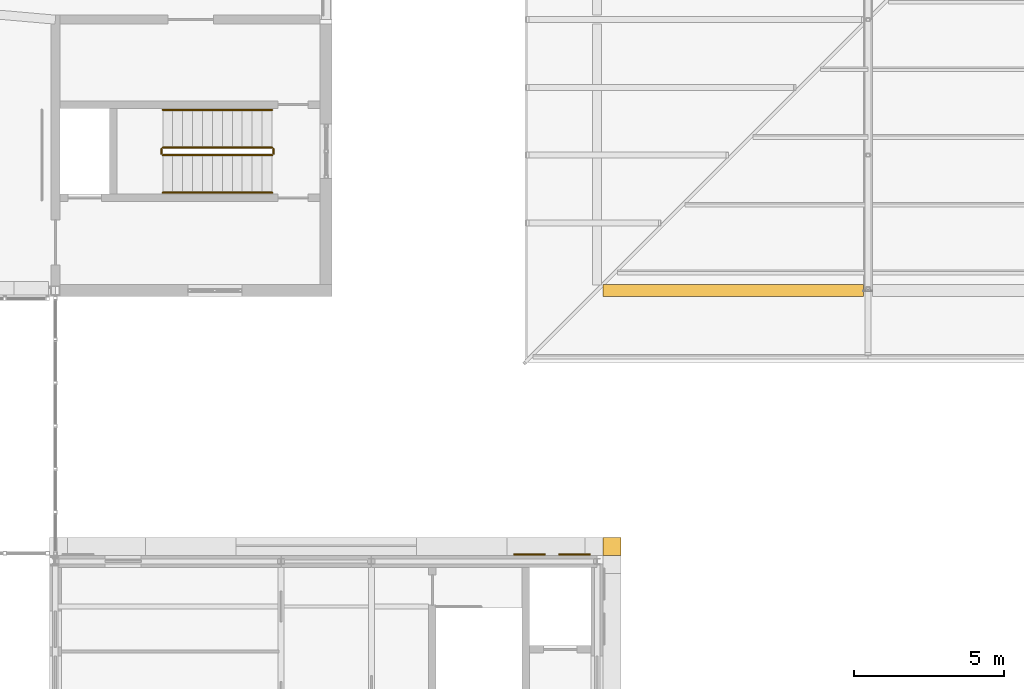
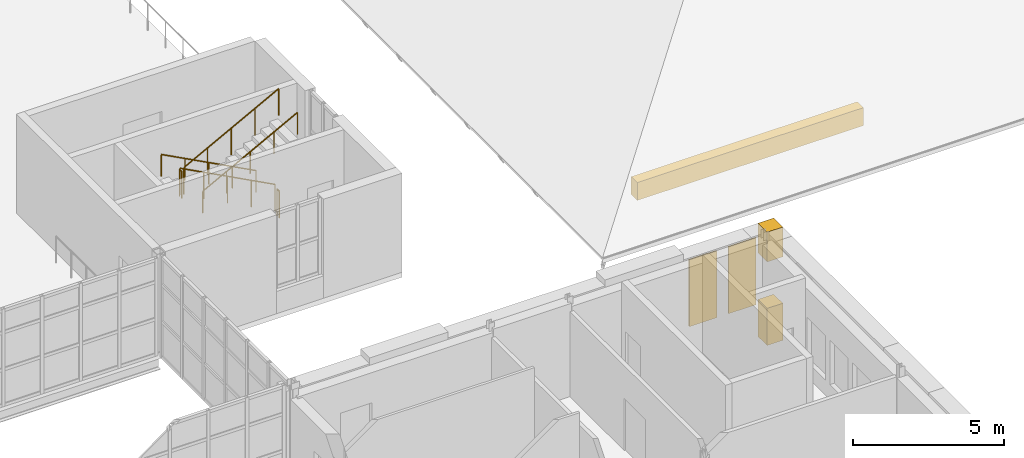
# One storey, part 148 of 154: 6 railings, 5 coverings.
"""IFC4 building model written with IfcOpenShell, lengths in metres."""

from ifc_helpers import new_model, si_unit, direction, frame, origin, origin_2d, place, context, subcontext, project, spatial, polyline, circle, outline, extrude, material, layer, layer_set, type_object, element, save


model = new_model("IFC4")

# Units and contexts
model_context = context("Model", 3, precision=1e-05, world=origin(), true_north=direction((0.0, 1.0)))
body_context = subcontext(model_context, "Body", "Model", "MODEL_VIEW")
ifc_project = project(units=[si_unit("LENGTHUNIT", "METRE"), si_unit("AREAUNIT", "SQUARE_METRE"), si_unit("VOLUMEUNIT", "CUBIC_METRE"), si_unit("PLANEANGLEUNIT", "RADIAN"), si_unit("MASSUNIT", "GRAM", prefix="KILO")], contexts=[model_context])

# Site, building, storey
site_placement = place(None, origin())
site = spatial("IfcSite", under=ifc_project, at=site_placement, CompositionType="ELEMENT")
building_placement = place(site_placement, origin())
building = spatial("IfcBuilding", under=site, at=building_placement, Name="Golden Quay Civic Hall", CompositionType="ELEMENT")
storey_placement = place(building_placement, frame((0.0, 0.0, 14.39990234375)))
storey = spatial("IfcBuildingStorey", under=building, at=storey_placement, Name="L03", CompositionType="ELEMENT", Elevation=14.39990234375)

# Covering
ifc_material_1 = material(Name="Brick, dark clay facing", Category="masonry")
covering_type_1 = type_object("IfcCoveringType", Name="Brick eaves frieze cladding 400", PredefinedType="CLADDING", material=ifc_material_1)
covering_1_placement = place(storey_placement, frame((0.0, 0.0, -0.25)))
element("IfcCovering", 1, at=covering_1_placement, inside=storey, type_object=covering_type_1, Name="Eaves frieze S1", PredefinedType="CLADDING", context=body_context, shape_type="SweptSolid", body=[
    extrude(outline(polyline([(117.199951171875, 62.800048828125), (125.85009765625, 62.800048828125), (125.85009765625, 63.199951171875), (117.199951171875, 63.199951171875), (117.199951171875, 62.800048828125)])), origin(), (0.0, 0.0, 1.0), 0.724609375),
])

# Railings
ifc_material_2 = material(Name="Steel S355", Category="steel")
railing_type_1 = type_object("IfcRailingType", Name="Steel guard 1100", PredefinedType="GUARDRAIL", material=ifc_material_2)
railing_1_placement = place(storey_placement, frame((106.199951171875, 67.75, 0.175048828125)))
element("IfcRailing", 2, at=railing_1_placement, inside=storey, type_object=railing_type_1, Name="L03 CB-SE stair guard 1", PredefinedType="GUARDRAIL", context=body_context, shape_type="SweptSolid", body=[
    extrude(circle(Radius=0.02392578125, at=origin_2d()), frame((0.0, 0.0, 1.076171875), z_axis=(-0.883450922709, 0.0, 0.468523710355), x_axis=(0.0, -1.0, 0.0)), (0.0, 0.0, 1.0), 4.108642578125),
    extrude(circle(Radius=0.02099609375, at=origin_2d()), origin(), (0.0, 0.0, 1.0), 1.052001953125),
    extrude(circle(Radius=0.02099609375, at=origin_2d()), frame((-0.907470703125, 0.0, 0.481201171875)), (0.0, 0.0, 1.0), 1.052001953125),
    extrude(circle(Radius=0.02099609375, at=origin_2d()), frame((-1.81494140625, 0.0, 0.96240234375)), (0.0, 0.0, 1.0), 1.052001953125),
    extrude(circle(Radius=0.02099609375, at=origin_2d()), frame((-2.722412109375, 0.0, 1.44384765625)), (0.0, 0.0, 1.0), 1.052001953125),
    extrude(circle(Radius=0.02099609375, at=origin_2d()), frame((-3.6298828125, 0.0, 1.925048828125)), (0.0, 0.0, 1.0), 1.052001953125),
])
railing_2_placement = place(storey_placement, frame((102.52001953125, 67.699951171875, 2.10009765625)))
element("IfcRailing", 3, at=railing_2_placement, inside=storey, type_object=railing_type_1, Name="L03 CB-SE stair guard 2", PredefinedType="GUARDRAIL", context=body_context, shape_type="SweptSolid", body=[
    extrude(circle(Radius=0.02392578125, at=origin_2d()), frame((0.0, 0.0, 1.076171875), z_axis=(0.0, -1.0, 0.0), x_axis=(1.0, 0.0, 0.0)), (0.0, 0.0, 1.0), 0.14990234375),
    extrude(circle(Radius=0.02099609375, at=origin_2d()), origin(), (0.0, 0.0, 1.0), 1.052001953125),
    extrude(circle(Radius=0.02099609375, at=origin_2d()), frame((0.0, -0.14990234375, 0.0)), (0.0, 0.0, 1.0), 1.052001953125),
])
railing_3_placement = place(storey_placement, frame((102.570068359375, 67.5, 2.275146484375)))
element("IfcRailing", 4, at=railing_3_placement, inside=storey, type_object=railing_type_1, Name="L03 CB-SE stair guard 3", PredefinedType="GUARDRAIL", context=body_context, shape_type="SweptSolid", body=[
    extrude(circle(Radius=0.02392578125, at=origin_2d()), frame((0.0, 0.0, 1.076171875), z_axis=(0.883450922709, 0.0, 0.468523710355), x_axis=(0.0, 1.0, 0.0)), (0.0, 0.0, 1.0), 4.108642578125),
    extrude(circle(Radius=0.02099609375, at=origin_2d()), origin(), (0.0, 0.0, 1.0), 1.052001953125),
    extrude(circle(Radius=0.02099609375, at=origin_2d()), frame((0.907470703125, 0.0, 0.481201171875)), (0.0, 0.0, 1.0), 1.052001953125),
    extrude(circle(Radius=0.02099609375, at=origin_2d()), frame((1.81494140625, 0.0, 0.96240234375)), (0.0, 0.0, 1.0), 1.052001953125),
    extrude(circle(Radius=0.02099609375, at=origin_2d()), frame((2.722412109375, 0.0, 1.44384765625)), (0.0, 0.0, 1.0), 1.052001953125),
    extrude(circle(Radius=0.02099609375, at=origin_2d()), frame((3.6298828125, 0.0, 1.925048828125)), (0.0, 0.0, 1.0), 1.052001953125),
])
railing_4_placement = place(storey_placement, frame((106.25, 67.699951171875, 0.0)))
element("IfcRailing", 5, at=railing_4_placement, inside=storey, type_object=railing_type_1, Name="L03 CB-SE stair guard 4", PredefinedType="GUARDRAIL", context=body_context, shape_type="SweptSolid", body=[
    extrude(circle(Radius=0.02392578125, at=origin_2d()), frame((0.0, 0.0, 1.076171875), z_axis=(0.0, -1.0, 0.0), x_axis=(1.0, 0.0, 0.0)), (0.0, 0.0, 1.0), 0.14990234375),
    extrude(circle(Radius=0.02099609375, at=origin_2d()), origin(), (0.0, 0.0, 1.0), 1.052001953125),
    extrude(circle(Radius=0.02099609375, at=origin_2d()), frame((0.0, -0.14990234375, 0.0)), (0.0, 0.0, 1.0), 1.052001953125),
])
ifc_material_3 = material(Name="Steel S355", Category="steel")
railing_type_2 = type_object("IfcRailingType", Name="Steel handrail 900", PredefinedType="HANDRAIL", material=ifc_material_3)
railing_5_placement = place(storey_placement, frame((106.199951171875, 69.0, 0.175048828125)))
element("IfcRailing", 6, at=railing_5_placement, inside=storey, type_object=railing_type_2, Name="L03 CB-SE stair handrail 1", PredefinedType="HANDRAIL", context=body_context, shape_type="SweptSolid", body=[
    extrude(circle(Radius=0.02392578125, at=origin_2d()), frame((0.0, 0.0, 0.8759765625), z_axis=(-0.883450922709, 0.0, 0.468523710355), x_axis=(0.0, -1.0, 0.0)), (0.0, 0.0, 1.0), 4.108642578125),
    extrude(circle(Radius=0.02099609375, at=origin_2d()), origin(), (0.0, 0.0, 1.0), 0.851806640625),
    extrude(circle(Radius=0.02099609375, at=origin_2d()), frame((-0.907470703125, 0.0, 0.481201171875)), (0.0, 0.0, 1.0), 0.851806640625),
    extrude(circle(Radius=0.02099609375, at=origin_2d()), frame((-1.81494140625, 0.0, 0.96240234375)), (0.0, 0.0, 1.0), 0.851806640625),
    extrude(circle(Radius=0.02099609375, at=origin_2d()), frame((-2.722412109375, 0.0, 1.44384765625)), (0.0, 0.0, 1.0), 0.851806640625),
    extrude(circle(Radius=0.02099609375, at=origin_2d()), frame((-3.6298828125, 0.0, 1.925048828125)), (0.0, 0.0, 1.0), 0.851806640625),
])
railing_6_placement = place(storey_placement, frame((102.570068359375, 66.25, 2.275146484375)))
element("IfcRailing", 7, at=railing_6_placement, inside=storey, type_object=railing_type_2, Name="L03 CB-SE stair handrail 2", PredefinedType="HANDRAIL", context=body_context, shape_type="SweptSolid", body=[
    extrude(circle(Radius=0.02392578125, at=origin_2d()), frame((0.0, 0.0, 0.8759765625), z_axis=(0.883450922709, 0.0, 0.468523710355), x_axis=(0.0, 1.0, 0.0)), (0.0, 0.0, 1.0), 4.108642578125),
    extrude(circle(Radius=0.02099609375, at=origin_2d()), origin(), (0.0, 0.0, 1.0), 0.851806640625),
    extrude(circle(Radius=0.02099609375, at=origin_2d()), frame((0.907470703125, 0.0, 0.481201171875)), (0.0, 0.0, 1.0), 0.851806640625),
    extrude(circle(Radius=0.02099609375, at=origin_2d()), frame((1.81494140625, 0.0, 0.96240234375)), (0.0, 0.0, 1.0), 0.851806640625),
    extrude(circle(Radius=0.02099609375, at=origin_2d()), frame((2.722412109375, 0.0, 1.44384765625)), (0.0, 0.0, 1.0), 0.851806640625),
    extrude(circle(Radius=0.02099609375, at=origin_2d()), frame((3.6298828125, 0.0, 1.925048828125)), (0.0, 0.0, 1.0), 0.851806640625),
])

# Coverings
ifc_material_4 = material(Name="Terracotta cladding, golden glaze", Category="masonry")
ifc_layer = layer(ifc_material_4, 0.050048828125)
ifc_layer_set = layer_set([ifc_layer], Name="Terracotta solid panel 1050 x 2700 x 50")
covering_type_2 = type_object("IfcCoveringType", Name="Terracotta solid panel 1050 x 2700 x 50", PredefinedType="CLADDING", material=ifc_layer_set)
covering_2_placement = place(storey_placement, frame((0.0, 0.0, 0.900146484375)))
element("IfcCovering", 8, at=covering_2_placement, inside=storey, type_object=covering_type_2, Name="Terracotta solid panel 1050 x 2700 x 50 L03 24", PredefinedType="CLADDING", context=body_context, shape_type="SweptSolid", body=[
    extrude(outline(polyline([(114.22509765625, 54.199951171875), (115.27490234375, 54.199951171875), (115.27490234375, 54.25), (114.22509765625, 54.25), (114.22509765625, 54.199951171875)])), origin(), (0.0, 0.0, 1.0), 2.699951171875),
])
covering_3_placement = place(storey_placement, frame((0.0, 0.0, 0.900146484375)))
element("IfcCovering", 9, at=covering_3_placement, inside=storey, type_object=covering_type_2, Name="Terracotta solid panel 1050 x 2700 x 50 L03 25", PredefinedType="CLADDING", context=body_context, shape_type="SweptSolid", body=[
    extrude(outline(polyline([(115.72509765625, 54.199951171875), (116.77490234375, 54.199951171875), (116.77490234375, 54.25), (115.72509765625, 54.25), (115.72509765625, 54.199951171875)])), origin(), (0.0, 0.0, 1.0), 2.699951171875),
])
ifc_material_5 = material(Name="Terracotta cladding, golden glaze", Category="masonry")
covering_type_3 = type_object("IfcCoveringType", Name="Terracotta spandrel fascia 600 x 1200", PredefinedType="CLADDING", material=ifc_material_5)
covering_4_placement = place(storey_placement, frame((0.0, 0.0, 2.47998046875)))
element("IfcCovering", 10, at=covering_4_placement, inside=storey, type_object=covering_type_3, Name="Terracotta spandrel fascia 600 x 1200 L03 6", PredefinedType="CLADDING", context=body_context, shape_type="SweptSolid", body=[
    extrude(outline(polyline([(117.199951171875, 54.199951171875), (117.199951171875, 54.800048828125), (117.800048828125, 54.800048828125), (117.800048828125, 54.199951171875), (117.199951171875, 54.199951171875)])), origin(), (0.0, 0.0, 1.0), 1.2001953125),
])
ifc_material_6 = material(Name="Terracotta cladding, golden glaze", Category="masonry")
covering_type_4 = type_object("IfcCoveringType", Name="Terracotta spandrel fascia 600 x 1500", PredefinedType="CLADDING", material=ifc_material_6)
covering_5_placement = place(storey_placement, frame((0.0, 0.0, -0.89990234375)))
element("IfcCovering", 11, at=covering_5_placement, inside=storey, type_object=covering_type_4, Name="Terracotta spandrel fascia 600 x 1500 L03 10", PredefinedType="CLADDING", context=body_context, shape_type="SweptSolid", body=[
    extrude(outline(polyline([(117.199951171875, 54.199951171875), (117.199951171875, 54.800048828125), (117.800048828125, 54.800048828125), (117.800048828125, 54.199951171875), (117.199951171875, 54.199951171875)])), origin(), (0.0, 0.0, 1.0), 1.5),
])

save(model, "model.ifc")
